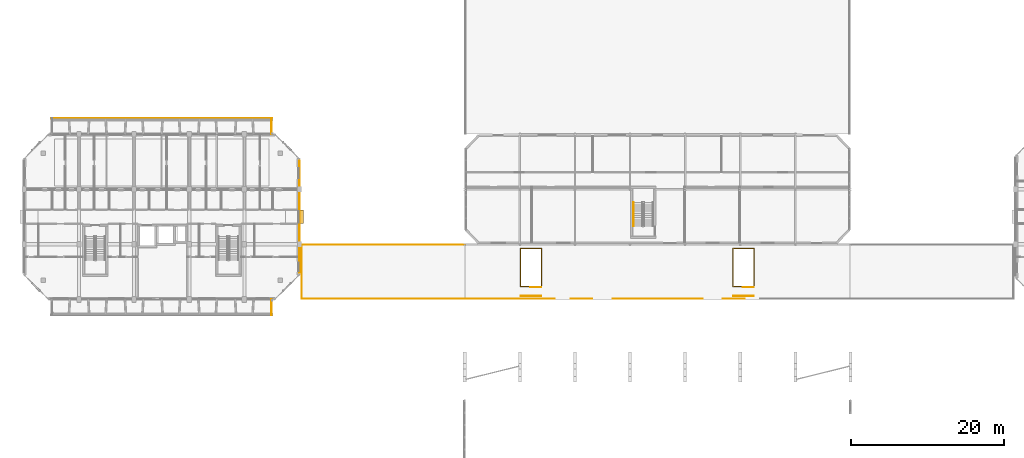
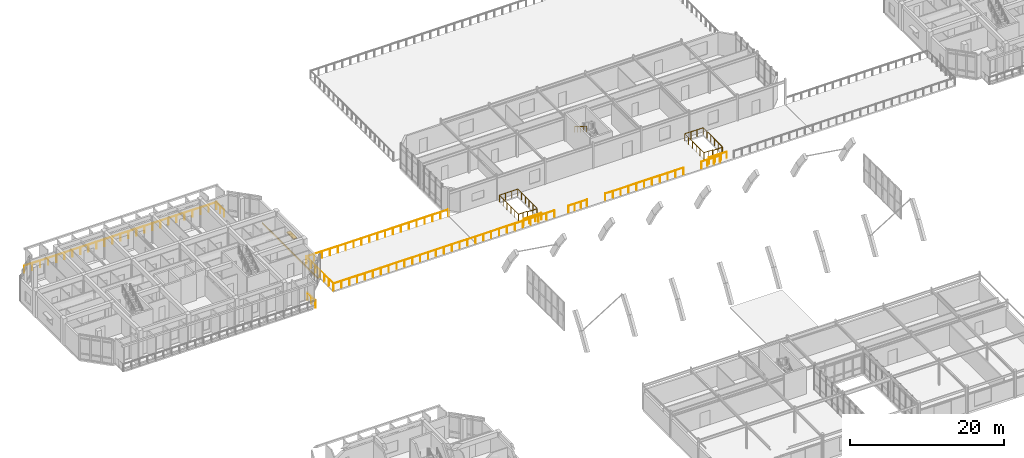
# One storey, part 76 of 85: 15 railings, 1 covering, 1 shading device.
"""IFC4 building model written with IfcOpenShell, lengths in metres."""

import ifcopenshell
import ifcopenshell.guid

model = None  # the IFC model being written
_history = None  # IfcOwnerHistory: only IFC2X3 demands one
_inside = {}  # id of a spatial element -> (the spatial element, [elements in it])
_under = {}  # id of a project, library or spatial element -> (it, [spatial elements below it])
_declared = {}  # id of a project -> (the project, [libraries it declares])
_typed = {}  # id of a type object -> (the type object, [elements of that type])
_made_of = {}  # id of a material, layer set ... -> (it, [elements and type objects made of it])


def new_model(schema):
    """Start an empty IFC model of exactly this schema.

    Asked for "IFC4X3", IfcOpenShell would pick the latest addendum, in which some entities
    have other attributes; the version numbers below select the first issue.
    IFC2X3 requires an IfcOwnerHistory on every rooted entity: one is made here for all.
    """
    global model, _history
    if schema == "IFC4X3":
        model = ifcopenshell.file(schema_version=(4, 3, 0, 0))
    else:
        model = ifcopenshell.file(schema=schema)
    _inside.clear()
    _under.clear()
    _declared.clear()
    _typed.clear()
    _made_of.clear()
    _history = None
    if model.schema == "IFC2X3":
        org = make("IfcOrganization", Name="unknown")
        user = make(
            "IfcPersonAndOrganization",
            ThePerson=make("IfcPerson", FamilyName="unknown"),
            TheOrganization=org,
        )
        app = make(
            "IfcApplication",
            ApplicationDeveloper=org,
            Version="unknown",
            ApplicationFullName="unknown",
            ApplicationIdentifier="unknown",
        )
        _history = make(
            "IfcOwnerHistory",
            OwningUser=user,
            OwningApplication=app,
            ChangeAction="ADDED",
            CreationDate=0,
        )
    return model


def make(cls, **values):
    """One entity of the class cls with the attributes given. An attribute that is None is left unset."""
    return model.create_entity(
        cls, **{name: value for name, value in values.items() if value is not None}
    )


def rooted(cls, **values):
    """An entity with a GlobalId (a new one), such as an element, a storey or a relation."""
    return make(cls, GlobalId=ifcopenshell.guid.new(), OwnerHistory=_history, **values)


def si_unit(unit_type, name, prefix=None):
    """IfcSIUnit, for example si_unit("LENGTHUNIT", "METRE", prefix="MILLI")."""
    return make("IfcSIUnit", UnitType=unit_type, Prefix=prefix, Name=name)


def assignment(units):
    """IfcUnitAssignment: the units of a project."""
    return None if units is None else make("IfcUnitAssignment", Units=units)


def point(xyz):
    """IfcCartesianPoint."""
    return None if xyz is None else make("IfcCartesianPoint", Coordinates=xyz)


def direction(xyz):
    """IfcDirection."""
    return None if xyz is None else make("IfcDirection", DirectionRatios=xyz)


def frame(location, z_axis=None, x_axis=None):
    """IfcAxis2Placement3D, a coordinate frame: its origin and axes. An axis left out is left unset."""
    return make(
        "IfcAxis2Placement3D",
        Location=point(location),
        Axis=direction(z_axis),
        RefDirection=direction(x_axis),
    )


def frame_2d(location, x_axis=None):
    """IfcAxis2Placement2D, a coordinate frame in the plane: its origin and x axis."""
    return make(
        "IfcAxis2Placement2D", Location=point(location), RefDirection=direction(x_axis)
    )


def origin():
    """The frame at (0, 0, 0) with its axes left unset."""
    return frame((0.0, 0.0, 0.0))


def origin_2d():
    """The frame at (0, 0) in the plane with its x axis left unset."""
    return frame_2d((0.0, 0.0))


def place(relative_to, where):
    """IfcLocalPlacement: puts the frame where relative to a parent placement (None: the world)."""
    return make(
        "IfcLocalPlacement", PlacementRelTo=relative_to, RelativePlacement=where
    )


def context(
    kind, dimensions, precision=None, world=None, true_north=None, identifier=None
):
    """IfcGeometricRepresentationContext, for example the 3D "Model" context."""
    return make(
        "IfcGeometricRepresentationContext",
        ContextIdentifier=identifier,
        ContextType=kind,
        CoordinateSpaceDimension=dimensions,
        Precision=precision,
        WorldCoordinateSystem=world,
        TrueNorth=true_north,
    )


def subcontext(parent, identifier, kind, view, scale=None):
    """IfcGeometricRepresentationSubContext, for example "Body" below "Model"."""
    return make(
        "IfcGeometricRepresentationSubContext",
        ContextIdentifier=identifier,
        ContextType=kind,
        ParentContext=parent,
        TargetScale=scale,
        TargetView=view,
    )


def project(units=None, contexts=None):
    """IfcProject with its units and contexts."""
    return rooted(
        "IfcProject",
        Name="project",
        RepresentationContexts=contexts,
        UnitsInContext=assignment(units),
    )


def spatial(cls, under=None, at=None, **own):
    """A site, building, storey or space (cls), placed at a placement, below another one or the project."""
    s = rooted(cls, ObjectPlacement=at, **own)
    if under is not None:
        _under.setdefault(under.id(), (under, []))[1].append(s)
    return s


def profile(cls, at=None, kind="AREA", **sizes):
    """A parametric profile (cls). Its sizes go by their IFC names, for example OverallWidth=200.0."""
    return make(cls, ProfileType=kind, Position=at, **sizes)


def rectangle(**sizes):
    """IfcRectangleProfileDef."""
    return profile("IfcRectangleProfileDef", **sizes)


def circle(**sizes):
    """IfcCircleProfileDef."""
    return profile("IfcCircleProfileDef", **sizes)


def extrude(swept, where, along, depth):
    """IfcExtrudedAreaSolid: the profile swept, set in the frame where, extruded along a direction by depth."""
    return make(
        "IfcExtrudedAreaSolid",
        SweptArea=swept,
        Position=where,
        ExtrudedDirection=direction(along),
        Depth=depth,
    )


def shape(context_of_items, identifier, shape_type, items):
    """IfcShapeRepresentation: the items that make up one representation, for example the "Body"."""
    return make(
        "IfcShapeRepresentation",
        ContextOfItems=context_of_items,
        RepresentationIdentifier=identifier,
        RepresentationType=shape_type,
        Items=items,
    )


def material(Name=None, Category=None):
    """IfcMaterial."""
    return make("IfcMaterial", Name=Name, Category=Category)


def layer(
    of_material, thickness, ventilated=None, Name=None, Category=None, Priority=None
):
    """IfcMaterialLayer: one layer of a wall or slab, of a material (None: an air gap)."""
    return make(
        "IfcMaterialLayer",
        Material=of_material,
        LayerThickness=thickness,
        IsVentilated=ventilated,
        Name=Name,
        Category=Category,
        Priority=Priority,
    )


def layer_set(layers, Name=None):
    """IfcMaterialLayerSet."""
    return make("IfcMaterialLayerSet", MaterialLayers=layers, LayerSetName=Name)


def made_of(thing, what):
    """Note that an element or type object is made of a material, layer set ...; save() writes the relation."""
    if what is not None:
        _made_of.setdefault(what.id(), (what, []))[1].append(thing)
    return thing


def type_object(cls, material=None, **own):
    """A type object (cls), such as IfcWallType, which elements share."""
    return made_of(rooted(cls, **own), material)


def element(
    cls,
    number,
    at=None,
    inside=None,
    cuts=None,
    type_object=None,
    material=None,
    context=None,
    identifier="Body",
    shape_type=None,
    held_by="IfcProductDefinitionShape",
    body=None,
    shapes=None,
    **own,
):
    """One element of the class cls, such as IfcWall. Its Tag is "e" and its number.

    at: its placement. inside: the storey or other place that contains it. cuts: it is an
    opening in that element (IfcRelVoidsElement). A single representation is given by context,
    identifier, shape_type and body (its items); several are given by shapes. held_by: the class
    of the entity that holds the representations. save() writes the other relations.
    """
    e = rooted(cls, Tag="e%d" % number, ObjectPlacement=at, **own)
    if body is not None:
        shapes = [shape(context, identifier, shape_type, body)]
    if shapes is not None:
        e.Representation = make(held_by, Representations=shapes)
    if inside is not None:
        _inside.setdefault(inside.id(), (inside, []))[1].append(e)
    if cuts is not None:
        rooted(
            "IfcRelVoidsElement", RelatingBuildingElement=cuts, RelatedOpeningElement=e
        )
    if type_object is not None:
        _typed.setdefault(type_object.id(), (type_object, []))[1].append(e)
    return made_of(e, material)


def aggregate(whole, parts):
    """IfcRelAggregates: a whole, such as a stair, and the parts it consists of."""
    return rooted("IfcRelAggregates", RelatingObject=whole, RelatedObjects=parts)


def save(model, path):
    """Write the relations noted so far, then the file.

    IfcRelAggregates (storeys below a building ...), IfcRelContainedInSpatialStructure (elements
    in a storey), IfcRelDefinesByType, IfcRelAssociatesMaterial and IfcRelDeclares: one each for
    every whole, place, type object, material and project.
    """
    for whole, parts in _under.values():
        aggregate(whole, parts)
    for where, things in _inside.values():
        rooted(
            "IfcRelContainedInSpatialStructure",
            RelatedElements=things,
            RelatingStructure=where,
        )
    for kind, things in _typed.values():
        rooted("IfcRelDefinesByType", RelatedObjects=things, RelatingType=kind)
    for what, things in _made_of.values():
        rooted("IfcRelAssociatesMaterial", RelatedObjects=things, RelatingMaterial=what)
    for by, libraries in _declared.values():
        rooted("IfcRelDeclares", RelatingContext=by, RelatedDefinitions=libraries)
    model.write(path)


model = new_model("IFC4")

# Units and contexts
model_context = context("Model", 3, precision=1e-05, world=origin(), true_north=direction((0.0, 1.0)))
body_context = subcontext(model_context, "Body", "Model", "MODEL_VIEW")
ifc_project = project(units=[si_unit("LENGTHUNIT", "METRE"), si_unit("AREAUNIT", "SQUARE_METRE"), si_unit("VOLUMEUNIT", "CUBIC_METRE"), si_unit("PLANEANGLEUNIT", "RADIAN"), si_unit("MASSUNIT", "GRAM", prefix="KILO")], contexts=[model_context])

# Site, building, storey
site_placement = place(None, origin())
site = spatial("IfcSite", under=ifc_project, at=site_placement, CompositionType="ELEMENT")
building_placement = place(site_placement, origin())
building = spatial("IfcBuilding", under=site, at=building_placement, Name="Ochrevale Crest", CompositionType="ELEMENT")
storey_placement = place(building_placement, frame((0.0, 0.0, 4.5)))
storey = spatial("IfcBuildingStorey", under=building, at=storey_placement, Name="L01", CompositionType="ELEMENT", Elevation=4.5)

# Covering
ifc_material_1 = material(Name="Glazed terracotta rainscreen tile", Category="masonry")
ifc_layer = layer(ifc_material_1, 0.048095703125)
ifc_layer_set = layer_set([ifc_layer], Name="Glazed terracotta rainscreen tile")
covering_type = type_object("IfcCoveringType", Name="COV-CLAD-TER", PredefinedType="CLADDING", material=ifc_layer_set)
covering_placement = place(storey_placement, frame((36.014404296875, 82.800048828125, -0.26025390625), z_axis=(0.0, 0.0, 1.0), x_axis=(0.0, 1.0, 0.0)))
element("IfcCovering", 1, at=covering_placement, inside=storey, type_object=covering_type, Name="Block B L01 terracotta slab-edge spandrel cladding", PredefinedType="CLADDING", context=body_context, shape_type="SweptSolid", body=[
    extrude(rectangle(XDim=14.60009765625, YDim=0.06005859375, at=origin_2d()), origin(), (0.0, 0.0, 1.0), 0.280029296875),
])

# Railings
ifc_material_2 = material(Name="Galvanised steel", Category="steel")
railing_type_1 = type_object("IfcRailingType", Name="RL-BAL-1100", PredefinedType="BALUSTRADE", material=ifc_material_2)
railing_1_placement = place(storey_placement, frame((32.340087890625, 72.0, 0.0)))
element("IfcRailing", 2, at=railing_1_placement, inside=storey, type_object=railing_type_1, Name="Block B L01 S-E balcony side guard", PredefinedType="BALUSTRADE", context=body_context, shape_type="SweptSolid", body=[
    extrude(circle(Radius=0.02392578125, at=origin_2d()), frame((0.0, 0.0, 1.0859375), z_axis=(0.0, -1.0, 0.0), x_axis=(1.0, 0.0, 0.0)), (0.0, 0.0, 1.0), 2.0400390625),
    extrude(circle(Radius=0.02099609375, at=origin_2d()), origin(), (0.0, 0.0, 1.0), 1.06201171875),
    extrude(circle(Radius=0.02099609375, at=origin_2d()), frame((0.0, -1.02001953125, 0.0)), (0.0, 0.0, 1.0), 1.06201171875),
    extrude(circle(Radius=0.02099609375, at=origin_2d()), frame((0.0, -2.0400390625, 0.0)), (0.0, 0.0, 1.0), 1.06201171875),
])
railing_2_placement = place(storey_placement, frame((3.60009765625, 95.639892578125, 0.0)))
element("IfcRailing", 3, at=railing_2_placement, inside=storey, type_object=railing_type_1, Name="Block B L01 N balcony front balustrade", PredefinedType="BALUSTRADE", context=body_context, shape_type="SweptSolid", body=[
    extrude(circle(Radius=0.02392578125, at=origin_2d()), frame((0.0, 0.0, 1.0859375), z_axis=(1.0, 0.0, 0.0), x_axis=(0.0, 1.0, 0.0)), (0.0, 0.0, 1.0), 28.7998046875),
    extrude(circle(Radius=0.02099609375, at=origin_2d()), origin(), (0.0, 0.0, 1.0), 1.06201171875),
    extrude(circle(Radius=0.02099609375, at=origin_2d()), frame((1.199951171875, 0.0, 0.0)), (0.0, 0.0, 1.0), 1.06201171875),
    extrude(circle(Radius=0.02099609375, at=origin_2d()), frame((2.39990234375, 0.0, 0.0)), (0.0, 0.0, 1.0), 1.06201171875),
    extrude(circle(Radius=0.02099609375, at=origin_2d()), frame((3.60009765625, 0.0, 0.0)), (0.0, 0.0, 1.0), 1.06201171875),
    extrude(circle(Radius=0.02099609375, at=origin_2d()), frame((4.800048828125, 0.0, 0.0)), (0.0, 0.0, 1.0), 1.06201171875),
    extrude(circle(Radius=0.02099609375, at=origin_2d()), frame((6.0, 0.0, 0.0)), (0.0, 0.0, 1.0), 1.06201171875),
    extrude(circle(Radius=0.02099609375, at=origin_2d()), frame((7.199951171875, 0.0, 0.0)), (0.0, 0.0, 1.0), 1.06201171875),
    extrude(circle(Radius=0.02099609375, at=origin_2d()), frame((8.39990234375, 0.0, 0.0)), (0.0, 0.0, 1.0), 1.06201171875),
    extrude(circle(Radius=0.02099609375, at=origin_2d()), frame((9.599853515625, 0.0, 0.0)), (0.0, 0.0, 1.0), 1.06201171875),
    extrude(circle(Radius=0.02099609375, at=origin_2d()), frame((10.7998046875, 0.0, 0.0)), (0.0, 0.0, 1.0), 1.06201171875),
    extrude(circle(Radius=0.02099609375, at=origin_2d()), frame((12.0, 0.0, 0.0)), (0.0, 0.0, 1.0), 1.06201171875),
    extrude(circle(Radius=0.02099609375, at=origin_2d()), frame((13.199951171875, 0.0, 0.0)), (0.0, 0.0, 1.0), 1.06201171875),
    extrude(circle(Radius=0.02099609375, at=origin_2d()), frame((14.39990234375, 0.0, 0.0)), (0.0, 0.0, 1.0), 1.06201171875),
    extrude(circle(Radius=0.02099609375, at=origin_2d()), frame((15.599853515625, 0.0, 0.0)), (0.0, 0.0, 1.0), 1.06201171875),
    extrude(circle(Radius=0.02099609375, at=origin_2d()), frame((16.7998046875, 0.0, 0.0)), (0.0, 0.0, 1.0), 1.06201171875),
    extrude(circle(Radius=0.02099609375, at=origin_2d()), frame((18.0, 0.0, 0.0)), (0.0, 0.0, 1.0), 1.06201171875),
    extrude(circle(Radius=0.02099609375, at=origin_2d()), frame((19.199951171875, 0.0, 0.0)), (0.0, 0.0, 1.0), 1.06201171875),
    extrude(circle(Radius=0.02099609375, at=origin_2d()), frame((20.39990234375, 0.0, 0.0)), (0.0, 0.0, 1.0), 1.06201171875),
    extrude(circle(Radius=0.02099609375, at=origin_2d()), frame((21.599853515625, 0.0, 0.0)), (0.0, 0.0, 1.0), 1.06201171875),
    extrude(circle(Radius=0.02099609375, at=origin_2d()), frame((22.7998046875, 0.0, 0.0)), (0.0, 0.0, 1.0), 1.06201171875),
    extrude(circle(Radius=0.02099609375, at=origin_2d()), frame((23.999755859375, 0.0, 0.0)), (0.0, 0.0, 1.0), 1.06201171875),
    extrude(circle(Radius=0.02099609375, at=origin_2d()), frame((25.19970703125, 0.0, 0.0)), (0.0, 0.0, 1.0), 1.06201171875),
    extrude(circle(Radius=0.02099609375, at=origin_2d()), frame((26.39990234375, 0.0, 0.0)), (0.0, 0.0, 1.0), 1.06201171875),
    extrude(circle(Radius=0.02099609375, at=origin_2d()), frame((27.599853515625, 0.0, 0.0)), (0.0, 0.0, 1.0), 1.06201171875),
    extrude(circle(Radius=0.02099609375, at=origin_2d()), frame((28.7998046875, 0.0, 0.0)), (0.0, 0.0, 1.0), 1.06201171875),
])
railing_3_placement = place(storey_placement, frame((32.340087890625, 93.60009765625, 0.0)))
element("IfcRailing", 4, at=railing_3_placement, inside=storey, type_object=railing_type_1, Name="Block B L01 N-E balcony side guard", PredefinedType="BALUSTRADE", context=body_context, shape_type="SweptSolid", body=[
    extrude(circle(Radius=0.02392578125, at=origin_2d()), frame((0.0, 0.0, 1.0859375), z_axis=(0.0, 1.0, 0.0), x_axis=(-1.0, 0.0, 0.0)), (0.0, 0.0, 1.0), 2.039794921875),
    extrude(circle(Radius=0.02099609375, at=origin_2d()), origin(), (0.0, 0.0, 1.0), 1.06201171875),
    extrude(circle(Radius=0.02099609375, at=origin_2d()), frame((0.0, 1.02001953125, 0.0)), (0.0, 0.0, 1.0), 1.06201171875),
    extrude(circle(Radius=0.02099609375, at=origin_2d()), frame((0.0, 2.039794921875, 0.0)), (0.0, 0.0, 1.0), 1.06201171875),
])
railing_type_2 = type_object("IfcRailingType", Name="RL-ST-GUARD-EXT", PredefinedType="BALUSTRADE", material=ifc_material_2)
railing_4_placement = place(storey_placement, frame((67.60009765625, 73.60009765625, 0.0)))
element("IfcRailing", 5, at=railing_4_placement, inside=storey, type_object=railing_type_2, Name="L01 ST-CW1 top well guard 1", PredefinedType="BALUSTRADE", context=body_context, shape_type="SweptSolid", body=[
    extrude(circle(Radius=0.02392578125, at=origin_2d()), frame((0.0, 0.0, 1.076171875), z_axis=(-1.0, 0.0, 0.0), x_axis=(0.0, -1.0, 0.0)), (0.0, 0.0, 1.0), 1.400146484375),
    extrude(circle(Radius=0.02099609375, at=origin_2d()), origin(), (0.0, 0.0, 1.0), 1.052001953125),
    extrude(circle(Radius=0.02099609375, at=origin_2d()), frame((-0.7001953125, 0.0, 0.0)), (0.0, 0.0, 1.0), 1.052001953125),
    extrude(circle(Radius=0.02099609375, at=origin_2d()), frame((-1.400146484375, 0.0, 0.0)), (0.0, 0.0, 1.0), 1.052001953125),
])
railing_5_placement = place(storey_placement, frame((67.60009765625, 72.449951171875, 0.0)))
element("IfcRailing", 6, at=railing_5_placement, inside=storey, type_object=railing_type_2, Name="L01 ST-CW1 top well guard 2", PredefinedType="BALUSTRADE", context=body_context, shape_type="SweptSolid", body=[
    extrude(circle(Radius=0.02392578125, at=origin_2d()), frame((0.0, 0.0, 1.076171875), z_axis=(-1.0, 0.0, 0.0), x_axis=(0.0, -1.0, 0.0)), (0.0, 0.0, 1.0), 2.650146484375),
    extrude(circle(Radius=0.02099609375, at=origin_2d()), origin(), (0.0, 0.0, 1.0), 1.052001953125),
    extrude(circle(Radius=0.02099609375, at=origin_2d()), frame((-0.88330078125, 0.0, 0.0)), (0.0, 0.0, 1.0), 1.052001953125),
    extrude(circle(Radius=0.02099609375, at=origin_2d()), frame((-1.766845703125, 0.0, 0.0)), (0.0, 0.0, 1.0), 1.052001953125),
    extrude(circle(Radius=0.02099609375, at=origin_2d()), frame((-2.650146484375, 0.0, 0.0)), (0.0, 0.0, 1.0), 1.052001953125),
])
railing_6_placement = place(storey_placement, frame((95.35009765625, 73.60009765625, 0.0)))
element("IfcRailing", 7, at=railing_6_placement, inside=storey, type_object=railing_type_2, Name="L01 ST-CE1 top well guard 1", PredefinedType="BALUSTRADE", context=body_context, shape_type="SweptSolid", body=[
    extrude(circle(Radius=0.02392578125, at=origin_2d()), frame((0.0, 0.0, 1.076171875), z_axis=(-1.0, 0.0, 0.0), x_axis=(0.0, -1.0, 0.0)), (0.0, 0.0, 1.0), 1.400146484375),
    extrude(circle(Radius=0.02099609375, at=origin_2d()), origin(), (0.0, 0.0, 1.0), 1.052001953125),
    extrude(circle(Radius=0.02099609375, at=origin_2d()), frame((-0.7001953125, 0.0, 0.0)), (0.0, 0.0, 1.0), 1.052001953125),
    extrude(circle(Radius=0.02099609375, at=origin_2d()), frame((-1.400146484375, 0.0, 0.0)), (0.0, 0.0, 1.0), 1.052001953125),
])
railing_7_placement = place(storey_placement, frame((95.35009765625, 72.449951171875, 0.0)))
element("IfcRailing", 8, at=railing_7_placement, inside=storey, type_object=railing_type_2, Name="L01 ST-CE1 top well guard 2", PredefinedType="BALUSTRADE", context=body_context, shape_type="SweptSolid", body=[
    extrude(circle(Radius=0.02392578125, at=origin_2d()), frame((0.0, 0.0, 1.076171875), z_axis=(-1.0, 0.0, 0.0), x_axis=(0.0, -1.0, 0.0)), (0.0, 0.0, 1.0), 2.650146484375),
    extrude(circle(Radius=0.02099609375, at=origin_2d()), origin(), (0.0, 0.0, 1.0), 1.052001953125),
    extrude(circle(Radius=0.02099609375, at=origin_2d()), frame((-0.88330078125, 0.0, 0.0)), (0.0, 0.0, 1.0), 1.052001953125),
    extrude(circle(Radius=0.02099609375, at=origin_2d()), frame((-1.766845703125, 0.0, 0.0)), (0.0, 0.0, 1.0), 1.052001953125),
    extrude(circle(Radius=0.02099609375, at=origin_2d()), frame((-2.650146484375, 0.0, 0.0)), (0.0, 0.0, 1.0), 1.052001953125),
])
ifc_material_3 = material(Name="Stainless steel", Category="steel")
railing_type_3 = type_object("IfcRailingType", Name="RL-ST-HRAIL", PredefinedType="HANDRAIL", material=ifc_material_3)
railing_8_placement = place(storey_placement, frame((79.64990234375, 84.655029296875, 2.27490234375)))
element("IfcRailing", 9, at=railing_8_placement, inside=storey, type_object=railing_type_3, Name="L01 ST-N1 stair handrail 2", PredefinedType="HANDRAIL", context=body_context, shape_type="SweptSolid", body=[
    extrude(circle(Radius=0.02392578125, at=origin_2d()), frame((0.0, 0.0, 0.8759765625), z_axis=(0.0, -0.847998304005, 0.529998940003), x_axis=(1.0, 0.0, 0.0)), (0.0, 0.0, 1.0), 3.632080078125),
    extrude(circle(Radius=0.02099609375, at=origin_2d()), origin(), (0.0, 0.0, 1.0), 0.851806640625),
    extrude(circle(Radius=0.02099609375, at=origin_2d()), frame((0.0, -0.77001953125, 0.481201171875)), (0.0, 0.0, 1.0), 0.851806640625),
    extrude(circle(Radius=0.02099609375, at=origin_2d()), frame((0.0, -1.5400390625, 0.96240234375)), (0.0, 0.0, 1.0), 0.851806640625),
    extrude(circle(Radius=0.02099609375, at=origin_2d()), frame((0.0, -2.31005859375, 1.44384765625)), (0.0, 0.0, 1.0), 0.851806640625),
    extrude(circle(Radius=0.02099609375, at=origin_2d()), frame((0.0, -3.080078125, 1.925048828125)), (0.0, 0.0, 1.0), 0.851806640625),
])
railing_type_4 = type_object("IfcRailingType", Name="RL-TER-1120", PredefinedType="BALUSTRADE", material=ifc_material_2)
railing_9_placement = place(storey_placement, frame((36.300048828125, 72.10009765625, 0.0)))
element("IfcRailing", 10, at=railing_9_placement, inside=storey, type_object=railing_type_4, Name="Step 3 promenade south balustrade 1", PredefinedType="BALUSTRADE", context=body_context, shape_type="SweptSolid", body=[
    extrude(circle(Radius=0.02392578125, at=origin_2d()), frame((0.0, 0.0, 1.09619140625), z_axis=(1.0, 0.0, 0.0), x_axis=(0.0, 1.0, 0.0)), (0.0, 0.0, 1.0), 33.050048828125),
    extrude(circle(Radius=0.02099609375, at=origin_2d()), origin(), (0.0, 0.0, 1.0), 1.072021484375),
    extrude(circle(Radius=0.02099609375, at=origin_2d()), frame((1.180419921875, 0.0, 0.0)), (0.0, 0.0, 1.0), 1.072021484375),
    extrude(circle(Radius=0.02099609375, at=origin_2d()), frame((2.36083984375, 0.0, 0.0)), (0.0, 0.0, 1.0), 1.072021484375),
    extrude(circle(Radius=0.02099609375, at=origin_2d()), frame((3.541015625, 0.0, 0.0)), (0.0, 0.0, 1.0), 1.072021484375),
    extrude(circle(Radius=0.02099609375, at=origin_2d()), frame((4.721435546875, 0.0, 0.0)), (0.0, 0.0, 1.0), 1.072021484375),
    extrude(circle(Radius=0.02099609375, at=origin_2d()), frame((5.90185546875, 0.0, 0.0)), (0.0, 0.0, 1.0), 1.072021484375),
    extrude(circle(Radius=0.02099609375, at=origin_2d()), frame((7.08203125, 0.0, 0.0)), (0.0, 0.0, 1.0), 1.072021484375),
    extrude(circle(Radius=0.02099609375, at=origin_2d()), frame((8.262451171875, 0.0, 0.0)), (0.0, 0.0, 1.0), 1.072021484375),
    extrude(circle(Radius=0.02099609375, at=origin_2d()), frame((9.44287109375, 0.0, 0.0)), (0.0, 0.0, 1.0), 1.072021484375),
    extrude(circle(Radius=0.02099609375, at=origin_2d()), frame((10.623291015625, 0.0, 0.0)), (0.0, 0.0, 1.0), 1.072021484375),
    extrude(circle(Radius=0.02099609375, at=origin_2d()), frame((11.8037109375, 0.0, 0.0)), (0.0, 0.0, 1.0), 1.072021484375),
    extrude(circle(Radius=0.02099609375, at=origin_2d()), frame((12.98388671875, 0.0, 0.0)), (0.0, 0.0, 1.0), 1.072021484375),
    extrude(circle(Radius=0.02099609375, at=origin_2d()), frame((14.164306640625, 0.0, 0.0)), (0.0, 0.0, 1.0), 1.072021484375),
    extrude(circle(Radius=0.02099609375, at=origin_2d()), frame((15.3447265625, 0.0, 0.0)), (0.0, 0.0, 1.0), 1.072021484375),
    extrude(circle(Radius=0.02099609375, at=origin_2d()), frame((16.52490234375, 0.0, 0.0)), (0.0, 0.0, 1.0), 1.072021484375),
    extrude(circle(Radius=0.02099609375, at=origin_2d()), frame((17.705322265625, 0.0, 0.0)), (0.0, 0.0, 1.0), 1.072021484375),
    extrude(circle(Radius=0.02099609375, at=origin_2d()), frame((18.8857421875, 0.0, 0.0)), (0.0, 0.0, 1.0), 1.072021484375),
    extrude(circle(Radius=0.02099609375, at=origin_2d()), frame((20.066162109375, 0.0, 0.0)), (0.0, 0.0, 1.0), 1.072021484375),
    extrude(circle(Radius=0.02099609375, at=origin_2d()), frame((21.24658203125, 0.0, 0.0)), (0.0, 0.0, 1.0), 1.072021484375),
    extrude(circle(Radius=0.02099609375, at=origin_2d()), frame((22.4267578125, 0.0, 0.0)), (0.0, 0.0, 1.0), 1.072021484375),
    extrude(circle(Radius=0.02099609375, at=origin_2d()), frame((23.607177734375, 0.0, 0.0)), (0.0, 0.0, 1.0), 1.072021484375),
    extrude(circle(Radius=0.02099609375, at=origin_2d()), frame((24.78759765625, 0.0, 0.0)), (0.0, 0.0, 1.0), 1.072021484375),
    extrude(circle(Radius=0.02099609375, at=origin_2d()), frame((25.9677734375, 0.0, 0.0)), (0.0, 0.0, 1.0), 1.072021484375),
    extrude(circle(Radius=0.02099609375, at=origin_2d()), frame((27.148193359375, 0.0, 0.0)), (0.0, 0.0, 1.0), 1.072021484375),
    extrude(circle(Radius=0.02099609375, at=origin_2d()), frame((28.32861328125, 0.0, 0.0)), (0.0, 0.0, 1.0), 1.072021484375),
    extrude(circle(Radius=0.02099609375, at=origin_2d()), frame((29.509033203125, 0.0, 0.0)), (0.0, 0.0, 1.0), 1.072021484375),
    extrude(circle(Radius=0.02099609375, at=origin_2d()), frame((30.689453125, 0.0, 0.0)), (0.0, 0.0, 1.0), 1.072021484375),
    extrude(circle(Radius=0.02099609375, at=origin_2d()), frame((31.86962890625, 0.0, 0.0)), (0.0, 0.0, 1.0), 1.072021484375),
    extrude(circle(Radius=0.02099609375, at=origin_2d()), frame((33.050048828125, 0.0, 0.0)), (0.0, 0.0, 1.0), 1.072021484375),
])
railing_10_placement = place(storey_placement, frame((71.449951171875, 72.10009765625, 0.0)))
element("IfcRailing", 11, at=railing_10_placement, inside=storey, type_object=railing_type_4, Name="Step 3 promenade south balustrade 2", PredefinedType="BALUSTRADE", context=body_context, shape_type="SweptSolid", body=[
    extrude(circle(Radius=0.02392578125, at=origin_2d()), frame((0.0, 0.0, 1.09619140625), z_axis=(1.0, 0.0, 0.0), x_axis=(0.0, 1.0, 0.0)), (0.0, 0.0, 1.0), 2.800048828125),
    extrude(circle(Radius=0.02099609375, at=origin_2d()), origin(), (0.0, 0.0, 1.0), 1.072021484375),
    extrude(circle(Radius=0.02099609375, at=origin_2d()), frame((0.933349609375, 0.0, 0.0)), (0.0, 0.0, 1.0), 1.072021484375),
    extrude(circle(Radius=0.02099609375, at=origin_2d()), frame((1.86669921875, 0.0, 0.0)), (0.0, 0.0, 1.0), 1.072021484375),
    extrude(circle(Radius=0.02099609375, at=origin_2d()), frame((2.800048828125, 0.0, 0.0)), (0.0, 0.0, 1.0), 1.072021484375),
])
railing_11_placement = place(storey_placement, frame((76.949951171875, 72.10009765625, 0.0)))
element("IfcRailing", 12, at=railing_11_placement, inside=storey, type_object=railing_type_4, Name="Step 3 promenade south balustrade 3", PredefinedType="BALUSTRADE", context=body_context, shape_type="SweptSolid", body=[
    extrude(circle(Radius=0.02392578125, at=origin_2d()), frame((0.0, 0.0, 1.09619140625), z_axis=(1.0, 0.0, 0.0), x_axis=(0.0, 1.0, 0.0)), (0.0, 0.0, 1.0), 11.699951171875),
    extrude(circle(Radius=0.02099609375, at=origin_2d()), origin(), (0.0, 0.0, 1.0), 1.072021484375),
    extrude(circle(Radius=0.02099609375, at=origin_2d()), frame((1.169921875, 0.0, 0.0)), (0.0, 0.0, 1.0), 1.072021484375),
    extrude(circle(Radius=0.02099609375, at=origin_2d()), frame((2.340087890625, 0.0, 0.0)), (0.0, 0.0, 1.0), 1.072021484375),
    extrude(circle(Radius=0.02099609375, at=origin_2d()), frame((3.510009765625, 0.0, 0.0)), (0.0, 0.0, 1.0), 1.072021484375),
    extrude(circle(Radius=0.02099609375, at=origin_2d()), frame((4.679931640625, 0.0, 0.0)), (0.0, 0.0, 1.0), 1.072021484375),
    extrude(circle(Radius=0.02099609375, at=origin_2d()), frame((5.85009765625, 0.0, 0.0)), (0.0, 0.0, 1.0), 1.072021484375),
    extrude(circle(Radius=0.02099609375, at=origin_2d()), frame((7.02001953125, 0.0, 0.0)), (0.0, 0.0, 1.0), 1.072021484375),
    extrude(circle(Radius=0.02099609375, at=origin_2d()), frame((8.18994140625, 0.0, 0.0)), (0.0, 0.0, 1.0), 1.072021484375),
    extrude(circle(Radius=0.02099609375, at=origin_2d()), frame((9.35986328125, 0.0, 0.0)), (0.0, 0.0, 1.0), 1.072021484375),
    extrude(circle(Radius=0.02099609375, at=origin_2d()), frame((10.530029296875, 0.0, 0.0)), (0.0, 0.0, 1.0), 1.072021484375),
    extrude(circle(Radius=0.02099609375, at=origin_2d()), frame((11.699951171875, 0.0, 0.0)), (0.0, 0.0, 1.0), 1.072021484375),
])
railing_12_placement = place(storey_placement, frame((91.35009765625, 72.10009765625, 0.0)))
element("IfcRailing", 13, at=railing_12_placement, inside=storey, type_object=railing_type_4, Name="Step 3 promenade south balustrade 4", PredefinedType="BALUSTRADE", context=body_context, shape_type="SweptSolid", body=[
    extrude(circle(Radius=0.02392578125, at=origin_2d()), frame((0.0, 0.0, 1.09619140625), z_axis=(1.0, 0.0, 0.0), x_axis=(0.0, 1.0, 0.0)), (0.0, 0.0, 1.0), 2.7998046875),
    extrude(circle(Radius=0.02099609375, at=origin_2d()), origin(), (0.0, 0.0, 1.0), 1.072021484375),
    extrude(circle(Radius=0.02099609375, at=origin_2d()), frame((0.933349609375, 0.0, 0.0)), (0.0, 0.0, 1.0), 1.072021484375),
    extrude(circle(Radius=0.02099609375, at=origin_2d()), frame((1.866455078125, 0.0, 0.0)), (0.0, 0.0, 1.0), 1.072021484375),
    extrude(circle(Radius=0.02099609375, at=origin_2d()), frame((2.7998046875, 0.0, 0.0)), (0.0, 0.0, 1.0), 1.072021484375),
])
railing_13_placement = place(storey_placement, frame((36.300048828125, 72.10009765625, 0.0)))
element("IfcRailing", 14, at=railing_13_placement, inside=storey, type_object=railing_type_4, Name="Step 3 promenade west balustrade", PredefinedType="BALUSTRADE", context=body_context, shape_type="SweptSolid", body=[
    extrude(circle(Radius=0.02392578125, at=origin_2d()), frame((0.0, 0.0, 1.09619140625), z_axis=(0.0, 1.0, 0.0), x_axis=(-1.0, 0.0, 0.0)), (0.0, 0.0, 1.0), 7.0498046875),
    extrude(circle(Radius=0.02392578125, at=origin_2d()), frame((0.0, 7.0498046875, 1.09619140625), z_axis=(1.0, 0.0, 0.0), x_axis=(0.0, 1.0, 0.0)), (0.0, 0.0, 1.0), 21.25),
    extrude(circle(Radius=0.02099609375, at=origin_2d()), origin(), (0.0, 0.0, 1.0), 1.072021484375),
    extrude(circle(Radius=0.02099609375, at=origin_2d()), frame((0.0, 1.175048828125, 0.0)), (0.0, 0.0, 1.0), 1.072021484375),
    extrude(circle(Radius=0.02099609375, at=origin_2d()), frame((0.0, 2.349853515625, 0.0)), (0.0, 0.0, 1.0), 1.072021484375),
    extrude(circle(Radius=0.02099609375, at=origin_2d()), frame((0.0, 3.52490234375, 0.0)), (0.0, 0.0, 1.0), 1.072021484375),
    extrude(circle(Radius=0.02099609375, at=origin_2d()), frame((0.0, 4.699951171875, 0.0)), (0.0, 0.0, 1.0), 1.072021484375),
    extrude(circle(Radius=0.02099609375, at=origin_2d()), frame((0.0, 5.874755859375, 0.0)), (0.0, 0.0, 1.0), 1.072021484375),
    extrude(circle(Radius=0.02099609375, at=origin_2d()), frame((0.0, 7.0498046875, 0.0)), (0.0, 0.0, 1.0), 1.072021484375),
    extrude(circle(Radius=0.02099609375, at=origin_2d()), frame((1.1806640625, 7.0498046875, 0.0)), (0.0, 0.0, 1.0), 1.072021484375),
    extrude(circle(Radius=0.02099609375, at=origin_2d()), frame((2.361083984375, 7.0498046875, 0.0)), (0.0, 0.0, 1.0), 1.072021484375),
    extrude(circle(Radius=0.02099609375, at=origin_2d()), frame((3.541748046875, 7.0498046875, 0.0)), (0.0, 0.0, 1.0), 1.072021484375),
    extrude(circle(Radius=0.02099609375, at=origin_2d()), frame((4.72216796875, 7.0498046875, 0.0)), (0.0, 0.0, 1.0), 1.072021484375),
    extrude(circle(Radius=0.02099609375, at=origin_2d()), frame((5.90283203125, 7.0498046875, 0.0)), (0.0, 0.0, 1.0), 1.072021484375),
    extrude(circle(Radius=0.02099609375, at=origin_2d()), frame((7.083251953125, 7.0498046875, 0.0)), (0.0, 0.0, 1.0), 1.072021484375),
    extrude(circle(Radius=0.02099609375, at=origin_2d()), frame((8.263916015625, 7.0498046875, 0.0)), (0.0, 0.0, 1.0), 1.072021484375),
    extrude(circle(Radius=0.02099609375, at=origin_2d()), frame((9.4443359375, 7.0498046875, 0.0)), (0.0, 0.0, 1.0), 1.072021484375),
    extrude(circle(Radius=0.02099609375, at=origin_2d()), frame((10.625, 7.0498046875, 0.0)), (0.0, 0.0, 1.0), 1.072021484375),
    extrude(circle(Radius=0.02099609375, at=origin_2d()), frame((11.8056640625, 7.0498046875, 0.0)), (0.0, 0.0, 1.0), 1.072021484375),
    extrude(circle(Radius=0.02099609375, at=origin_2d()), frame((12.986083984375, 7.0498046875, 0.0)), (0.0, 0.0, 1.0), 1.072021484375),
    extrude(circle(Radius=0.02099609375, at=origin_2d()), frame((14.166748046875, 7.0498046875, 0.0)), (0.0, 0.0, 1.0), 1.072021484375),
    extrude(circle(Radius=0.02099609375, at=origin_2d()), frame((15.34716796875, 7.0498046875, 0.0)), (0.0, 0.0, 1.0), 1.072021484375),
    extrude(circle(Radius=0.02099609375, at=origin_2d()), frame((16.52783203125, 7.0498046875, 0.0)), (0.0, 0.0, 1.0), 1.072021484375),
    extrude(circle(Radius=0.02099609375, at=origin_2d()), frame((17.708251953125, 7.0498046875, 0.0)), (0.0, 0.0, 1.0), 1.072021484375),
    extrude(circle(Radius=0.02099609375, at=origin_2d()), frame((18.888916015625, 7.0498046875, 0.0)), (0.0, 0.0, 1.0), 1.072021484375),
    extrude(circle(Radius=0.02099609375, at=origin_2d()), frame((20.0693359375, 7.0498046875, 0.0)), (0.0, 0.0, 1.0), 1.072021484375),
    extrude(circle(Radius=0.02099609375, at=origin_2d()), frame((21.25, 7.0498046875, 0.0)), (0.0, 0.0, 1.0), 1.072021484375),
])
railing_14_placement = place(storey_placement, frame((66.199951171875, 73.699951171875, 0.0)))
element("IfcRailing", 15, at=railing_14_placement, inside=storey, type_object=railing_type_4, Name="Courtyard stair ST-CW1 L01 top-floor well balustrade", PredefinedType="BALUSTRADE", context=body_context, shape_type="SweptSolid", body=[
    extrude(circle(Radius=0.02392578125, at=origin_2d()), frame((0.0, 0.0, 1.09619140625), z_axis=(-1.0, 0.0, 0.0), x_axis=(0.0, -1.0, 0.0)), (0.0, 0.0, 1.0), 1.300048828125),
    extrude(circle(Radius=0.02392578125, at=origin_2d()), frame((-1.300048828125, 0.0, 1.09619140625), z_axis=(0.0, 1.0, 0.0), x_axis=(-1.0, 0.0, 0.0)), (0.0, 0.0, 1.0), 4.949951171875),
    extrude(circle(Radius=0.02392578125, at=origin_2d()), frame((-1.300048828125, 4.949951171875, 1.09619140625), z_axis=(1.0, 0.0, 0.0), x_axis=(0.0, 1.0, 0.0)), (0.0, 0.0, 1.0), 2.75),
    extrude(circle(Radius=0.02392578125, at=origin_2d()), frame((1.449951171875, 4.949951171875, 1.09619140625), z_axis=(0.0, -1.0, 0.0), x_axis=(1.0, 0.0, 0.0)), (0.0, 0.0, 1.0), 4.89990234375),
    extrude(circle(Radius=0.02099609375, at=origin_2d()), origin(), (0.0, 0.0, 1.0), 1.072021484375),
    extrude(circle(Radius=0.02099609375, at=origin_2d()), frame((-0.64990234375, 0.0, 0.0)), (0.0, 0.0, 1.0), 1.072021484375),
    extrude(circle(Radius=0.02099609375, at=origin_2d()), frame((-1.300048828125, 0.0, 0.0)), (0.0, 0.0, 1.0), 1.072021484375),
    extrude(circle(Radius=0.02099609375, at=origin_2d()), frame((-1.300048828125, 0.989990234375, 0.0)), (0.0, 0.0, 1.0), 1.072021484375),
    extrude(circle(Radius=0.02099609375, at=origin_2d()), frame((-1.300048828125, 1.97998046875, 0.0)), (0.0, 0.0, 1.0), 1.072021484375),
    extrude(circle(Radius=0.02099609375, at=origin_2d()), frame((-1.300048828125, 2.969970703125, 0.0)), (0.0, 0.0, 1.0), 1.072021484375),
    extrude(circle(Radius=0.02099609375, at=origin_2d()), frame((-1.300048828125, 3.9599609375, 0.0)), (0.0, 0.0, 1.0), 1.072021484375),
    extrude(circle(Radius=0.02099609375, at=origin_2d()), frame((-1.300048828125, 4.949951171875, 0.0)), (0.0, 0.0, 1.0), 1.072021484375),
    extrude(circle(Radius=0.02099609375, at=origin_2d()), frame((-0.38330078125, 4.949951171875, 0.0)), (0.0, 0.0, 1.0), 1.072021484375),
    extrude(circle(Radius=0.02099609375, at=origin_2d()), frame((0.533203125, 4.949951171875, 0.0)), (0.0, 0.0, 1.0), 1.072021484375),
    extrude(circle(Radius=0.02099609375, at=origin_2d()), frame((1.449951171875, 4.949951171875, 0.0)), (0.0, 0.0, 1.0), 1.072021484375),
    extrude(circle(Radius=0.02099609375, at=origin_2d()), frame((1.449951171875, 3.969970703125, 0.0)), (0.0, 0.0, 1.0), 1.072021484375),
    extrude(circle(Radius=0.02099609375, at=origin_2d()), frame((1.449951171875, 2.989990234375, 0.0)), (0.0, 0.0, 1.0), 1.072021484375),
    extrude(circle(Radius=0.02099609375, at=origin_2d()), frame((1.449951171875, 2.010009765625, 0.0)), (0.0, 0.0, 1.0), 1.072021484375),
    extrude(circle(Radius=0.02099609375, at=origin_2d()), frame((1.449951171875, 1.030029296875, 0.0)), (0.0, 0.0, 1.0), 1.072021484375),
    extrude(circle(Radius=0.02099609375, at=origin_2d()), frame((1.449951171875, 0.050048828125, 0.0)), (0.0, 0.0, 1.0), 1.072021484375),
])
railing_15_placement = place(storey_placement, frame((93.949951171875, 73.699951171875, 0.0)))
element("IfcRailing", 16, at=railing_15_placement, inside=storey, type_object=railing_type_4, Name="Courtyard stair ST-CE1 L01 top-floor well balustrade", PredefinedType="BALUSTRADE", context=body_context, shape_type="SweptSolid", body=[
    extrude(circle(Radius=0.02392578125, at=origin_2d()), frame((0.0, 0.0, 1.09619140625), z_axis=(-1.0, 0.0, 0.0), x_axis=(0.0, -1.0, 0.0)), (0.0, 0.0, 1.0), 1.300048828125),
    extrude(circle(Radius=0.02392578125, at=origin_2d()), frame((-1.300048828125, 0.0, 1.09619140625), z_axis=(0.0, 1.0, 0.0), x_axis=(-1.0, 0.0, 0.0)), (0.0, 0.0, 1.0), 4.949951171875),
    extrude(circle(Radius=0.02392578125, at=origin_2d()), frame((-1.300048828125, 4.949951171875, 1.09619140625), z_axis=(1.0, 0.0, 0.0), x_axis=(0.0, 1.0, 0.0)), (0.0, 0.0, 1.0), 2.75),
    extrude(circle(Radius=0.02392578125, at=origin_2d()), frame((1.449951171875, 4.949951171875, 1.09619140625), z_axis=(0.0, -1.0, 0.0), x_axis=(1.0, 0.0, 0.0)), (0.0, 0.0, 1.0), 4.89990234375),
    extrude(circle(Radius=0.02099609375, at=origin_2d()), origin(), (0.0, 0.0, 1.0), 1.072021484375),
    extrude(circle(Radius=0.02099609375, at=origin_2d()), frame((-0.64990234375, 0.0, 0.0)), (0.0, 0.0, 1.0), 1.072021484375),
    extrude(circle(Radius=0.02099609375, at=origin_2d()), frame((-1.300048828125, 0.0, 0.0)), (0.0, 0.0, 1.0), 1.072021484375),
    extrude(circle(Radius=0.02099609375, at=origin_2d()), frame((-1.300048828125, 0.989990234375, 0.0)), (0.0, 0.0, 1.0), 1.072021484375),
    extrude(circle(Radius=0.02099609375, at=origin_2d()), frame((-1.300048828125, 1.97998046875, 0.0)), (0.0, 0.0, 1.0), 1.072021484375),
    extrude(circle(Radius=0.02099609375, at=origin_2d()), frame((-1.300048828125, 2.969970703125, 0.0)), (0.0, 0.0, 1.0), 1.072021484375),
    extrude(circle(Radius=0.02099609375, at=origin_2d()), frame((-1.300048828125, 3.9599609375, 0.0)), (0.0, 0.0, 1.0), 1.072021484375),
    extrude(circle(Radius=0.02099609375, at=origin_2d()), frame((-1.300048828125, 4.949951171875, 0.0)), (0.0, 0.0, 1.0), 1.072021484375),
    extrude(circle(Radius=0.02099609375, at=origin_2d()), frame((-0.38330078125, 4.949951171875, 0.0)), (0.0, 0.0, 1.0), 1.072021484375),
    extrude(circle(Radius=0.02099609375, at=origin_2d()), frame((0.533203125, 4.949951171875, 0.0)), (0.0, 0.0, 1.0), 1.072021484375),
    extrude(circle(Radius=0.02099609375, at=origin_2d()), frame((1.449951171875, 4.949951171875, 0.0)), (0.0, 0.0, 1.0), 1.072021484375),
    extrude(circle(Radius=0.02099609375, at=origin_2d()), frame((1.449951171875, 3.969970703125, 0.0)), (0.0, 0.0, 1.0), 1.072021484375),
    extrude(circle(Radius=0.02099609375, at=origin_2d()), frame((1.449951171875, 2.989990234375, 0.0)), (0.0, 0.0, 1.0), 1.072021484375),
    extrude(circle(Radius=0.02099609375, at=origin_2d()), frame((1.449951171875, 2.010009765625, 0.0)), (0.0, 0.0, 1.0), 1.072021484375),
    extrude(circle(Radius=0.02099609375, at=origin_2d()), frame((1.449951171875, 1.030029296875, 0.0)), (0.0, 0.0, 1.0), 1.072021484375),
    extrude(circle(Radius=0.02099609375, at=origin_2d()), frame((1.449951171875, 0.050048828125, 0.0)), (0.0, 0.0, 1.0), 1.072021484375),
])

# Shading device
ifc_material_4 = material(Name="Anodised aluminium 6063-T5", Category="aluminium")
shading_device_type = type_object("IfcShadingDeviceType", Name="SHD-SUNSHADE-OC", PredefinedType="USERDEFINED", material=ifc_material_4)
shading_device_placement = place(storey_placement, frame((36.239990234375, 82.800048828125, 2.2099609375), z_axis=(0.0, 0.0, 1.0), x_axis=(1.0, 0.0, 0.0)))
element("IfcShadingDevice", 17, at=shading_device_placement, inside=storey, type_object=shading_device_type, Name="Block B L01 gable window sunshade E", ObjectType="HORIZONTAL SUNSHADE", PredefinedType="USERDEFINED", context=body_context, shape_type="SweptSolid", body=[
    extrude(rectangle(XDim=0.550048828125, YDim=1.800048828125, at=origin_2d()), origin(), (0.0, 0.0, 1.0), 0.139892578125),
])

save(model, "model.ifc")
